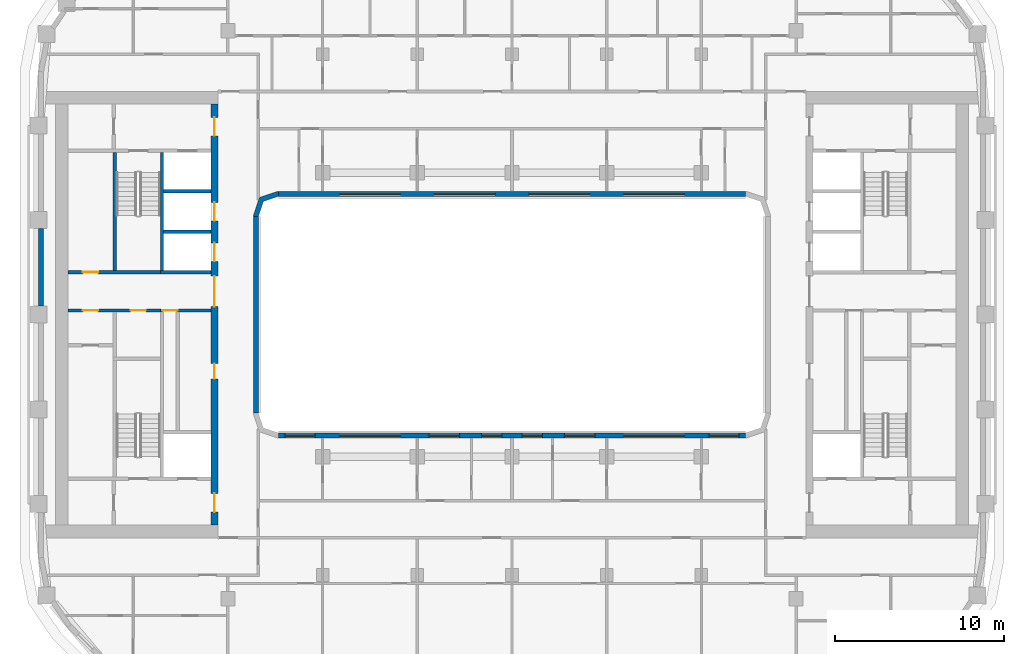
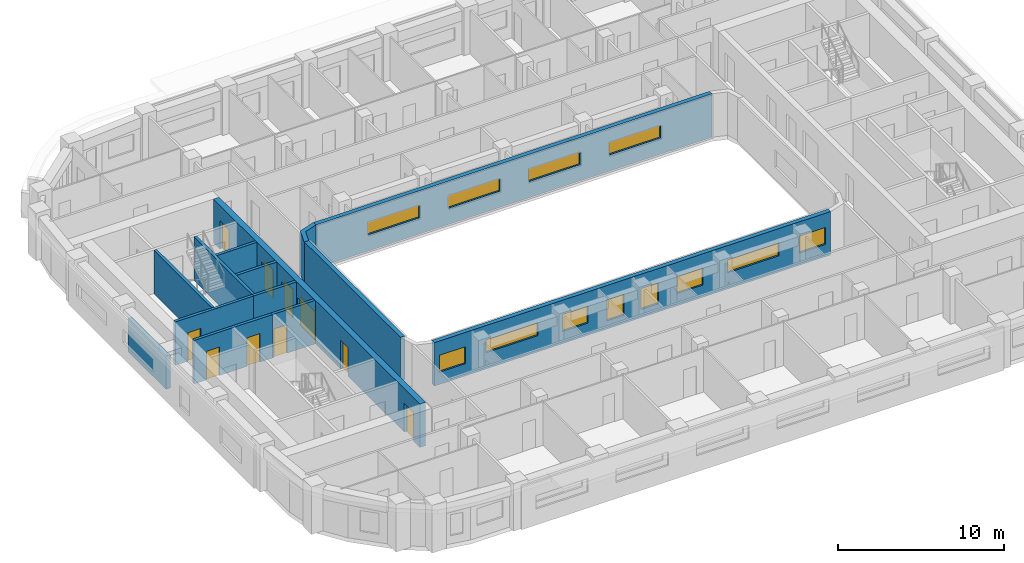
# One storey, part 4 of 22: 14 walls, 12 windows, 10 doors, 22 openings.
"""IFC4 building model written with IfcOpenShell, lengths in metres."""

from ifc_helpers import new_model, si_unit, direction, frame, frame_2d, origin, place, context, subcontext, project, spatial, polyline, rectangle, outline, extrude, material, layer, layer_set, type_object, element, fill, save


model = new_model("IFC4")

# Units and contexts
model_context = context("Model", 3, precision=1e-05, world=origin(), true_north=direction((0.0, 1.0)))
body_context = subcontext(model_context, "Body", "Model", "MODEL_VIEW")
ifc_project = project(units=[si_unit("LENGTHUNIT", "METRE"), si_unit("AREAUNIT", "SQUARE_METRE"), si_unit("VOLUMEUNIT", "CUBIC_METRE"), si_unit("PLANEANGLEUNIT", "RADIAN"), si_unit("MASSUNIT", "GRAM", prefix="KILO")], contexts=[model_context])

# Site, building, storey
site_placement = place(None, origin())
site = spatial("IfcSite", under=ifc_project, at=site_placement, CompositionType="ELEMENT")
building_placement = place(site_placement, origin())
building = spatial("IfcBuilding", under=site, at=building_placement, Name="Kiln Ring Residences", CompositionType="ELEMENT")
storey_placement = place(building_placement, frame((0.0, 0.0, 167.60009765625)))
storey = spatial("IfcBuildingStorey", under=building, at=storey_placement, Name="L43", CompositionType="ELEMENT", Elevation=167.60009765625)

# Wall, openings, doors
ifc_material_1 = material(Name="Gypsum board on steel studs", Category="steel")
ifc_layer_1 = layer(ifc_material_1, 0.199951171875)
ifc_layer_set_1 = layer_set([ifc_layer_1], Name="CORE-PARTITION-200")
wall_type_1 = type_object("IfcWallType", Name="CORE-PARTITION-200", PredefinedType="PARTITIONING", material=ifc_layer_set_1)
wall_1_placement = place(storey_placement, frame((-20.800048828125, 0.25, 0.0), z_axis=(0.0, 0.0, 1.0), x_axis=(-1.0, 0.0, 0.0)))
wall_1 = element("IfcWall", 1, at=wall_1_placement, inside=storey, type_object=wall_type_1, Name="Core partition west L43 2", PredefinedType="PARTITIONING", context=body_context, shape_type="SweptSolid", body=[
    extrude(rectangle(XDim=5.449951171875, YDim=0.199951171875, at=frame_2d((2.72509765625, 0.0))), origin(), (0.0, 0.0, 1.0), 3.199951171875),
])
opening_1_placement = place(wall_1_placement, frame((0.85009765625, 0.0, 0.0)))
opening_1 = element("IfcOpeningElement", 2, at=opening_1_placement, cuts=wall_1, Name="Opening L43-CW14", PredefinedType="OPENING", context=body_context, shape_type="SweptSolid", body=[
    extrude(rectangle(XDim=0.89990234375, YDim=2.10009765625, at=frame_2d((0.449951171875, 1.050048828125))), frame((0.0, 0.10986328125, 0.0), z_axis=(0.0, -1.0, 0.0), x_axis=(1.0, 0.0, 0.0)), (0.0, 0.0, 1.0), 0.219970703125),
])
opening_2_placement = place(wall_1_placement, frame((3.675048828125, 0.0, 0.0)))
opening_2 = element("IfcOpeningElement", 3, at=opening_2_placement, cuts=wall_1, Name="Opening L43-CW16", PredefinedType="OPENING", context=body_context, shape_type="SweptSolid", body=[
    extrude(rectangle(XDim=0.89990234375, YDim=2.10009765625, at=frame_2d((0.449951171875, 1.050048828125))), frame((0.0, 0.10986328125, 0.0), z_axis=(0.0, -1.0, 0.0), x_axis=(1.0, 0.0, 0.0)), (0.0, 0.0, 1.0), 0.219970703125),
])
ifc_material_2 = material(Name="Steel door leaf", Category="steel")
door_type_1 = type_object("IfcDoorType", Name="CORE-DOOR-ROOM", OperationType="SINGLE_SWING_LEFT", PredefinedType="DOOR", material=ifc_material_2)
door_1_placement = place(opening_1_placement, origin())
door_1 = element("IfcDoor", 4, at=door_1_placement, inside=storey, type_object=door_type_1, Name="Linen store L43-CW14", OperationType="SINGLE_SWING_RIGHT", OverallHeight=2.10009765625, OverallWidth=0.89990234375, PredefinedType="DOOR", context=body_context, shape_type="SweptSolid", body=[
    extrude(rectangle(XDim=0.89990234375, YDim=2.10009765625, at=frame_2d((0.449951171875, 1.050048828125))), frame((0.0, 0.02490234375, 0.0), z_axis=(0.0, -1.0, 0.0), x_axis=(1.0, 0.0, 0.0)), (0.0, 0.0, 1.0), 0.050048828125),
])
fill(opening_1, door_1)
door_2_placement = place(opening_2_placement, origin())
door_2 = element("IfcDoor", 5, at=door_2_placement, inside=storey, type_object=door_type_1, Name="Pump and valve room L43-CW16", OperationType="SINGLE_SWING_RIGHT", OverallHeight=2.10009765625, OverallWidth=0.89990234375, PredefinedType="DOOR", context=body_context, shape_type="SweptSolid", body=[
    extrude(rectangle(XDim=0.89990234375, YDim=2.10009765625, at=frame_2d((0.449951171875, 1.050048828125))), frame((0.0, 0.02490234375, 0.0), z_axis=(0.0, -1.0, 0.0), x_axis=(1.0, 0.0, 0.0)), (0.0, 0.0, 1.0), 0.050048828125),
])
fill(opening_2, door_2)

# Wall, opening, door
ifc_material_3 = material(Name="Gypsum shaft wall system")
ifc_layer_2 = layer(ifc_material_3, 0.199951171875)
ifc_layer_set_2 = layer_set([ifc_layer_2], Name="CORE-SHAFT-WALL-200")
wall_type_2 = type_object("IfcWallType", Name="CORE-SHAFT-WALL-200", PredefinedType="PARTITIONING", material=ifc_layer_set_2)
wall_2_placement = place(storey_placement, frame((-17.800048828125, 0.25, 0.0), z_axis=(0.0, 0.0, 1.0), x_axis=(-1.0, 0.0, 0.0)))
wall_2 = element("IfcWall", 6, at=wall_2_placement, inside=storey, type_object=wall_type_2, Name="Core partition west L43 8", PredefinedType="PARTITIONING", context=body_context, shape_type="SweptSolid", body=[
    extrude(rectangle(XDim=3.0, YDim=0.199951171875, at=frame_2d((1.5, 0.0))), origin(), (0.0, 0.0, 1.0), 3.199951171875),
])
opening_3_placement = place(wall_2_placement, frame((1.97998046875, 0.0, 0.0)))
opening_3 = element("IfcOpeningElement", 7, at=opening_3_placement, cuts=wall_2, Name="Opening L43-CW03", PredefinedType="OPENING", context=body_context, shape_type="SweptSolid", body=[
    extrude(rectangle(XDim=0.89990234375, YDim=2.10009765625, at=frame_2d((0.449951171875, 1.050048828125))), frame((0.0, 0.10986328125, 0.0), z_axis=(0.0, -1.0, 0.0), x_axis=(1.0, 0.0, 0.0)), (0.0, 0.0, 1.0), 0.219970703125),
])
door_3_placement = place(opening_3_placement, origin())
door_3 = element("IfcDoor", 8, at=door_3_placement, inside=storey, type_object=door_type_1, Name="Waste room L43-CW03", OperationType="SINGLE_SWING_LEFT", OverallHeight=2.10009765625, OverallWidth=0.89990234375, PredefinedType="DOOR", context=body_context, shape_type="SweptSolid", body=[
    extrude(rectangle(XDim=0.89990234375, YDim=2.10009765625, at=frame_2d((0.449951171875, 1.050048828125))), frame((0.0, 0.02490234375, 0.0), z_axis=(0.0, -1.0, 0.0), x_axis=(1.0, 0.0, 0.0)), (0.0, 0.0, 1.0), 0.050048828125),
])
fill(opening_3, door_3)

# Walls
wall_3_placement = place(storey_placement, frame((-17.800048828125, 2.5, 0.0), z_axis=(0.0, 0.0, 1.0), x_axis=(-1.0, 0.0, 0.0)))
element("IfcWall", 9, at=wall_3_placement, inside=storey, type_object=wall_type_2, Name="Core partition west L43 9", PredefinedType="PARTITIONING", context=body_context, shape_type="SweptSolid", body=[
    extrude(rectangle(XDim=3.0, YDim=0.199951171875, at=frame_2d((1.5, 0.0))), origin(), (0.0, 0.0, 1.0), 3.199951171875),
])
for number, where, z_axis, x_axis, name in (
    (10, (-17.800048828125, 4.89990234375, 0.0), (0.0, 0.0, 1.0), (-1.0, 0.0, 0.0), "Core partition west L43 10"),
    (11, (-17.800048828125, 7.300048828125, 0.0), (0.0, 0.0, 1.0), (-1.0, 0.0, 0.0), "Core partition west L43 11"),
):
    element("IfcWall", number, at=place(storey_placement, frame(where, z_axis=z_axis, x_axis=x_axis)), inside=storey, type_object=wall_type_2, Name=name, PredefinedType="PARTITIONING", context=body_context, shape_type="SweptSolid", body=[
        extrude(rectangle(XDim=2.800048828125, YDim=0.199951171875, at=frame_2d((1.39990234375, 0.0))), origin(), (0.0, 0.0, 1.0), 3.199951171875),
    ])
ifc_material_4 = material(Name="Concrete C40/50", Category="concrete")
ifc_layer_3 = layer(ifc_material_4, 0.199951171875)
ifc_layer_set_3 = layer_set([ifc_layer_3], Name="CORE-WALL-RC200")
wall_type_3 = type_object("IfcWallType", Name="CORE-WALL-RC200", PredefinedType="SHEAR", material=ifc_layer_set_3)
wall_4_placement = place(storey_placement, frame((-20.699951171875, 2.60009765625, 0.0), z_axis=(0.0, 0.0, 1.0), x_axis=(0.0, 1.0, 0.0)))
element("IfcWall", 12, at=wall_4_placement, inside=storey, type_object=wall_type_3, Name="Core wall west L43 1", PredefinedType="SHEAR", context=body_context, shape_type="SweptSolid", body=[
    extrude(rectangle(XDim=7.0, YDim=0.199951171875, at=frame_2d((3.5, 0.0))), origin(), (0.0, 0.0, 1.0), 3.199951171875),
])

# Wall, opening, door
wall_5_placement = place(storey_placement, frame((-20.800048828125, 2.5, 0.0), z_axis=(0.0, 0.0, 1.0), x_axis=(-1.0, 0.0, 0.0)))
wall_5 = element("IfcWall", 13, at=wall_5_placement, inside=storey, type_object=wall_type_3, Name="Core wall west L43 3", PredefinedType="SHEAR", context=body_context, shape_type="SweptSolid", body=[
    extrude(rectangle(XDim=5.449951171875, YDim=0.199951171875, at=frame_2d((2.72509765625, 0.0))), origin(), (0.0, 0.0, 1.0), 3.199951171875),
])
opening_4_placement = place(wall_5_placement, frame((3.675048828125, 0.0, 0.0)))
opening_4 = element("IfcOpeningElement", 14, at=opening_4_placement, cuts=wall_5, Name="Opening L43-CW17", PredefinedType="OPENING", context=body_context, shape_type="SweptSolid", body=[
    extrude(rectangle(XDim=0.89990234375, YDim=2.10009765625, at=frame_2d((0.449951171875, 1.050048828125))), frame((0.0, 0.10986328125, 0.0), z_axis=(0.0, -1.0, 0.0), x_axis=(1.0, 0.0, 0.0)), (0.0, 0.0, 1.0), 0.219970703125),
])
door_4_placement = place(opening_4_placement, origin())
door_4 = element("IfcDoor", 15, at=door_4_placement, inside=storey, type_object=door_type_1, Name="Electrical plant room L43-CW17", OperationType="SINGLE_SWING_RIGHT", OverallHeight=2.10009765625, OverallWidth=0.89990234375, PredefinedType="DOOR", context=body_context, shape_type="SweptSolid", body=[
    extrude(rectangle(XDim=0.89990234375, YDim=2.10009765625, at=frame_2d((0.449951171875, 1.050048828125))), frame((0.0, 0.02490234375, 0.0), z_axis=(0.0, -1.0, 0.0), x_axis=(1.0, 0.0, 0.0)), (0.0, 0.0, 1.0), 0.050048828125),
])
fill(opening_4, door_4)

# Wall
wall_6_placement = place(storey_placement, frame((-23.5, 2.60009765625, 0.0), z_axis=(0.0, 0.0, 1.0), x_axis=(0.0, 1.0, 0.0)))
element("IfcWall", 16, at=wall_6_placement, inside=storey, type_object=wall_type_3, Name="Core wall west L43 10", PredefinedType="SHEAR", context=body_context, shape_type="SweptSolid", body=[
    extrude(rectangle(XDim=7.0, YDim=0.199951171875, at=frame_2d((3.5, 0.0))), origin(), (0.0, 0.0, 1.0), 3.199951171875),
])

# Wall, openings, doors
ifc_material_5 = material(Name="Concrete C60/75", Category="concrete")
ifc_layer_4 = layer(ifc_material_5, 0.39990234375)
ifc_layer_set_4 = layer_set([ifc_layer_4], Name="CORE-WALL-RC400")
wall_type_4 = type_object("IfcWallType", Name="CORE-WALL-RC400", PredefinedType="SHEAR", material=ifc_layer_set_4)
wall_7_placement = place(storey_placement, frame((-17.60009765625, -12.449951171875, 0.0), z_axis=(0.0, 0.0, 1.0), x_axis=(0.0, 1.0, 0.0)))
wall_7 = element("IfcWall", 17, at=wall_7_placement, inside=storey, type_object=wall_type_4, Name="Core wall west L43 6", PredefinedType="SHEAR", context=body_context, shape_type="SweptSolid", body=[
    extrude(rectangle(XDim=24.89990234375, YDim=0.39990234375, at=frame_2d((12.449951171875, 0.0))), origin(), (0.0, 0.0, 1.0), 3.199951171875),
])
opening_5_placement = place(wall_7_placement, frame((8.64990234375, 0.0, 0.0)))
opening_5 = element("IfcOpeningElement", 18, at=opening_5_placement, cuts=wall_7, Name="Opening L43-CW02", PredefinedType="OPENING", context=body_context, shape_type="SweptSolid", body=[
    extrude(rectangle(XDim=0.89990234375, YDim=2.10009765625, at=frame_2d((0.449951171875, 1.050048828125))), frame((0.0, 0.2099609375, 0.0), z_axis=(0.0, -1.0, 0.0), x_axis=(1.0, 0.0, 0.0)), (0.0, 0.0, 1.0), 0.419921875),
])
opening_6_placement = place(wall_7_placement, frame((15.60009765625, 0.0, 0.0)))
opening_6 = element("IfcOpeningElement", 19, at=opening_6_placement, cuts=wall_7, Name="Opening L43-CW04", PredefinedType="OPENING", context=body_context, shape_type="SweptSolid", body=[
    extrude(rectangle(XDim=1.10009765625, YDim=2.10009765625, at=frame_2d((0.550048828125, 1.050048828125))), frame((0.0, 0.2099609375, 0.0), z_axis=(0.0, -1.0, 0.0), x_axis=(1.0, 0.0, 0.0)), (0.0, 0.0, 1.0), 0.419921875),
])
opening_7_placement = place(wall_7_placement, frame((18.0, 0.0, 0.0)))
opening_7 = element("IfcOpeningElement", 20, at=opening_7_placement, cuts=wall_7, Name="Opening L43-CW05", PredefinedType="OPENING", context=body_context, shape_type="SweptSolid", body=[
    extrude(rectangle(XDim=1.10009765625, YDim=2.10009765625, at=frame_2d((0.550048828125, 1.050048828125))), frame((0.0, 0.2099609375, 0.0), z_axis=(0.0, -1.0, 0.0), x_axis=(1.0, 0.0, 0.0)), (0.0, 0.0, 1.0), 0.419921875),
])
opening_8_placement = place(wall_7_placement, frame((23.02490234375, 0.0, 0.0)))
opening_8 = element("IfcOpeningElement", 21, at=opening_8_placement, cuts=wall_7, Name="Opening L43-CW07", PredefinedType="OPENING", context=body_context, shape_type="SweptSolid", body=[
    extrude(rectangle(XDim=1.10009765625, YDim=2.10009765625, at=frame_2d((0.550048828125, 1.050048828125))), frame((0.0, 0.2099609375, 0.0), z_axis=(0.0, -1.0, 0.0), x_axis=(1.0, 0.0, 0.0)), (0.0, 0.0, 1.0), 0.419921875),
])
opening_9_placement = place(wall_7_placement, frame((0.77490234375, 0.0, 0.0)))
opening_9 = element("IfcOpeningElement", 22, at=opening_9_placement, cuts=wall_7, Name="Opening L43-CW08", PredefinedType="OPENING", context=body_context, shape_type="SweptSolid", body=[
    extrude(rectangle(XDim=1.10009765625, YDim=2.10009765625, at=frame_2d((0.550048828125, 1.050048828125))), frame((0.0, 0.2099609375, 0.0), z_axis=(0.0, -1.0, 0.0), x_axis=(1.0, 0.0, 0.0)), (0.0, 0.0, 1.0), 0.419921875),
])
opening_10_placement = place(wall_7_placement, frame((12.925048828125, 0.0, 0.0)))
opening_10 = element("IfcOpeningElement", 23, at=opening_10_placement, cuts=wall_7, Name="Opening L43-CW13", PredefinedType="OPENING", context=body_context, shape_type="SweptSolid", body=[
    extrude(rectangle(XDim=1.800048828125, YDim=2.10009765625, at=frame_2d((0.89990234375, 1.050048828125))), frame((0.0, 0.2099609375, 0.0), z_axis=(0.0, -1.0, 0.0), x_axis=(1.0, 0.0, 0.0)), (0.0, 0.0, 1.0), 0.419921875),
])
ifc_material_6 = material(Name="Steel door leaf", Category="steel")
door_type_2 = type_object("IfcDoorType", Name="CORE-DOOR-LD", OperationType="DOUBLE_DOOR_SLIDING", PredefinedType="DOOR", material=ifc_material_6)
door_5_placement = place(opening_6_placement, origin())
door_5 = element("IfcDoor", 24, at=door_5_placement, inside=storey, type_object=door_type_2, Name="LD W-M1 L43-CW04", OperationType="DOUBLE_DOOR_SLIDING", OverallHeight=2.10009765625, OverallWidth=1.10009765625, PredefinedType="DOOR", context=body_context, shape_type="SweptSolid", body=[
    extrude(rectangle(XDim=1.10009765625, YDim=2.10009765625, at=frame_2d((0.550048828125, 1.050048828125))), frame((0.0, 0.02490234375, 0.0), z_axis=(0.0, -1.0, 0.0), x_axis=(1.0, 0.0, 0.0)), (0.0, 0.0, 1.0), 0.050048828125),
])
fill(opening_6, door_5)
door_6_placement = place(opening_7_placement, origin())
door_6 = element("IfcDoor", 25, at=door_6_placement, inside=storey, type_object=door_type_2, Name="LD W-M2 L43-CW05", OperationType="DOUBLE_DOOR_SLIDING", OverallHeight=2.10009765625, OverallWidth=1.10009765625, PredefinedType="DOOR", context=body_context, shape_type="SweptSolid", body=[
    extrude(rectangle(XDim=1.10009765625, YDim=2.10009765625, at=frame_2d((0.550048828125, 1.050048828125))), frame((0.0, 0.02490234375, 0.0), z_axis=(0.0, -1.0, 0.0), x_axis=(1.0, 0.0, 0.0)), (0.0, 0.0, 1.0), 0.050048828125),
])
fill(opening_7, door_6)
ifc_material_7 = material(Name="Steel door leaf", Category="steel")
door_type_3 = type_object("IfcDoorType", Name="CORE-DOOR-LOBBY", OperationType="SINGLE_SWING_LEFT", PredefinedType="DOOR", material=ifc_material_7)
door_7_placement = place(opening_8_placement, origin())
door_7 = element("IfcDoor", 26, at=door_7_placement, inside=storey, type_object=door_type_3, Name="FFL L43-CW07", OperationType="SINGLE_SWING_RIGHT", OverallHeight=2.10009765625, OverallWidth=1.10009765625, PredefinedType="DOOR", context=body_context, shape_type="SweptSolid", body=[
    extrude(rectangle(XDim=1.10009765625, YDim=2.10009765625, at=frame_2d((0.550048828125, 1.050048828125))), frame((0.0, 0.02490234375, 0.0), z_axis=(0.0, -1.0, 0.0), x_axis=(1.0, 0.0, 0.0)), (0.0, 0.0, 1.0), 0.050048828125),
])
fill(opening_8, door_7)
door_8_placement = place(opening_9_placement, origin())
door_8 = element("IfcDoor", 27, at=door_8_placement, inside=storey, type_object=door_type_3, Name="SVL L43-CW08", OperationType="SINGLE_SWING_LEFT", OverallHeight=2.10009765625, OverallWidth=1.10009765625, PredefinedType="DOOR", context=body_context, shape_type="SweptSolid", body=[
    extrude(rectangle(XDim=1.10009765625, YDim=2.10009765625, at=frame_2d((0.550048828125, 1.050048828125))), frame((0.0, 0.02490234375, 0.0), z_axis=(0.0, -1.0, 0.0), x_axis=(1.0, 0.0, 0.0)), (0.0, 0.0, 1.0), 0.050048828125),
])
fill(opening_9, door_8)
ifc_material_8 = material(Name="Steel door leaf", Category="steel")
door_type_4 = type_object("IfcDoorType", Name="CORE-DOOR-PASS", OperationType="DOUBLE_DOOR_SINGLE_SWING", PredefinedType="DOOR", material=ifc_material_8)
door_9_placement = place(opening_10_placement, origin())
door_9 = element("IfcDoor", 28, at=door_9_placement, inside=storey, type_object=door_type_4, Name="Core passage L43-CW13", OperationType="DOUBLE_DOOR_SINGLE_SWING", OverallHeight=2.10009765625, OverallWidth=1.800048828125, PredefinedType="DOOR", context=body_context, shape_type="SweptSolid", body=[
    extrude(rectangle(XDim=1.800048828125, YDim=2.10009765625, at=frame_2d((0.89990234375, 1.050048828125))), frame((0.0, 0.02490234375, 0.0), z_axis=(0.0, -1.0, 0.0), x_axis=(1.0, 0.0, 0.0)), (0.0, 0.0, 1.0), 0.050048828125),
])
fill(opening_10, door_9)
door_10_placement = place(opening_5_placement, origin())
door_10 = element("IfcDoor", 29, at=door_10_placement, inside=storey, type_object=door_type_1, Name="Janitor's store L43-CW02", OperationType="SINGLE_SWING_RIGHT", OverallHeight=2.10009765625, OverallWidth=0.89990234375, PredefinedType="DOOR", context=body_context, shape_type="SweptSolid", body=[
    extrude(rectangle(XDim=0.89990234375, YDim=2.10009765625, at=frame_2d((0.449951171875, 1.050048828125))), frame((0.0, 0.02490234375, 0.0), z_axis=(0.0, -1.0, 0.0), x_axis=(1.0, 0.0, 0.0)), (0.0, 0.0, 1.0), 0.050048828125),
])
fill(opening_5, door_10)

# Walls
ifc_material_9 = material(Name="Brick masonry, dark clay brick", Category="masonry")
ifc_layer_5 = layer(ifc_material_9, 0.300048828125)
ifc_layer_set_5 = layer_set([ifc_layer_5], Name="EW-300 BRICK WALL")
wall_type_5 = type_object("IfcWallType", Name="EW-300 BRICK WALL", PredefinedType="SOLIDWALL", material=ifc_layer_set_5)
wall_8_placement = place(storey_placement, frame((-27.85009765625, 5.10009765625, 0.0), z_axis=(0.0, 0.0, 1.0), x_axis=(0.0, -1.0, 0.0)))
element("IfcWall", 30, at=wall_8_placement, inside=storey, type_object=wall_type_5, Name="Facade wall L43 43", PredefinedType="SOLIDWALL", context=body_context, shape_type="SweptSolid", body=[
    extrude(rectangle(XDim=4.60009765625, YDim=0.300048828125, at=frame_2d((2.300048828125, 0.0))), origin(), (0.0, 0.0, 1.0), 2.449951171875),
])
wall_9_placement = place(storey_placement, frame((-15.14990234375, -5.800048828125, 0.0), z_axis=(0.0, 0.0, 1.0), x_axis=(0.0, 1.0, 0.0)))
element("IfcWall", 31, at=wall_9_placement, inside=storey, type_object=wall_type_5, Name="Facade wall L43 49", PredefinedType="SOLIDWALL", context=body_context, shape_type="SweptSolid", body=[
    extrude(rectangle(XDim=11.60009765625, YDim=0.300048828125, at=frame_2d((5.800048828125, 0.0))), origin(), (0.0, 0.0, 1.0), 3.199951171875),
])

# Wall, openings, windows
wall_10_placement = place(storey_placement, frame((-13.800048828125, 7.14990234375, 0.0), z_axis=(0.0, 0.0, 1.0), x_axis=(1.0, 0.0, 0.0)))
wall_10 = element("IfcWall", 32, at=wall_10_placement, inside=storey, type_object=wall_type_5, Name="Facade wall L43 50", PredefinedType="SOLIDWALL", context=body_context, shape_type="SweptSolid", body=[
    extrude(rectangle(XDim=27.60009765625, YDim=0.300048828125, at=frame_2d((13.800048828125, 0.0))), origin(), (0.0, 0.0, 1.0), 3.199951171875),
])
opening_11_placement = place(wall_10_placement, frame((3.60009765625, 0.0, 1.199951171875)))
opening_11 = element("IfcOpeningElement", 33, at=opening_11_placement, cuts=wall_10, Name="Opening W4", PredefinedType="OPENING", context=body_context, shape_type="SweptSolid", body=[
    extrude(rectangle(XDim=3.60009765625, YDim=0.949951171875, at=frame_2d((1.800048828125, 0.47509765625))), frame((0.0, 0.159912109375, 0.0), z_axis=(0.0, -1.0, 0.0), x_axis=(1.0, 0.0, 0.0)), (0.0, 0.0, 1.0), 0.320068359375),
])
opening_12_placement = place(wall_10_placement, frame((9.199951171875, 0.0, 1.199951171875)))
opening_12 = element("IfcOpeningElement", 34, at=opening_12_placement, cuts=wall_10, Name="Opening W4", PredefinedType="OPENING", context=body_context, shape_type="SweptSolid", body=[
    extrude(rectangle(XDim=3.60009765625, YDim=0.949951171875, at=frame_2d((1.800048828125, 0.47509765625))), frame((0.0, 0.159912109375, 0.0), z_axis=(0.0, -1.0, 0.0), x_axis=(1.0, 0.0, 0.0)), (0.0, 0.0, 1.0), 0.320068359375),
])
opening_13_placement = place(wall_10_placement, frame((14.800048828125, 0.0, 1.199951171875)))
opening_13 = element("IfcOpeningElement", 35, at=opening_13_placement, cuts=wall_10, Name="Opening W4", PredefinedType="OPENING", context=body_context, shape_type="SweptSolid", body=[
    extrude(rectangle(XDim=3.60009765625, YDim=0.949951171875, at=frame_2d((1.800048828125, 0.47509765625))), frame((0.0, 0.159912109375, 0.0), z_axis=(0.0, -1.0, 0.0), x_axis=(1.0, 0.0, 0.0)), (0.0, 0.0, 1.0), 0.320068359375),
])
opening_14_placement = place(wall_10_placement, frame((20.39990234375, 0.0, 1.199951171875)))
opening_14 = element("IfcOpeningElement", 36, at=opening_14_placement, cuts=wall_10, Name="Opening W4", PredefinedType="OPENING", context=body_context, shape_type="SweptSolid", body=[
    extrude(rectangle(XDim=3.60009765625, YDim=0.949951171875, at=frame_2d((1.800048828125, 0.47509765625))), frame((0.0, 0.159912109375, 0.0), z_axis=(0.0, -1.0, 0.0), x_axis=(1.0, 0.0, 0.0)), (0.0, 0.0, 1.0), 0.320068359375),
])
ifc_material_10 = material(Name="Aluminium frame with double glazing", Category="aluminium")
window_type_1 = type_object("IfcWindowType", Name="WINDOW 3600 x 950", PartitioningType="SINGLE_PANEL", PredefinedType="WINDOW", material=ifc_material_10)
window_1_placement = place(opening_11_placement, origin())
window_1 = element("IfcWindow", 37, at=window_1_placement, inside=storey, type_object=window_type_1, Name="Window L43 30", OverallHeight=0.949951171875, OverallWidth=3.60009765625, PartitioningType="SINGLE_PANEL", PredefinedType="WINDOW", context=body_context, shape_type="SweptSolid", body=[
    extrude(rectangle(XDim=3.60009765625, YDim=0.949951171875, at=frame_2d((1.800048828125, 0.47509765625))), frame((0.0, 0.030029296875, 0.0), z_axis=(0.0, -1.0, 0.0), x_axis=(1.0, 0.0, 0.0)), (0.0, 0.0, 1.0), 0.06005859375),
])
fill(opening_11, window_1)
window_2_placement = place(opening_12_placement, origin())
window_2 = element("IfcWindow", 38, at=window_2_placement, inside=storey, type_object=window_type_1, Name="Window L43 31", OverallHeight=0.949951171875, OverallWidth=3.60009765625, PartitioningType="SINGLE_PANEL", PredefinedType="WINDOW", context=body_context, shape_type="SweptSolid", body=[
    extrude(rectangle(XDim=3.60009765625, YDim=0.949951171875, at=frame_2d((1.800048828125, 0.47509765625))), frame((0.0, 0.030029296875, 0.0), z_axis=(0.0, -1.0, 0.0), x_axis=(1.0, 0.0, 0.0)), (0.0, 0.0, 1.0), 0.06005859375),
])
fill(opening_12, window_2)
window_3_placement = place(opening_13_placement, origin())
window_3 = element("IfcWindow", 39, at=window_3_placement, inside=storey, type_object=window_type_1, Name="Window L43 32", OverallHeight=0.949951171875, OverallWidth=3.60009765625, PartitioningType="SINGLE_PANEL", PredefinedType="WINDOW", context=body_context, shape_type="SweptSolid", body=[
    extrude(rectangle(XDim=3.60009765625, YDim=0.949951171875, at=frame_2d((1.800048828125, 0.47509765625))), frame((0.0, 0.030029296875, 0.0), z_axis=(0.0, -1.0, 0.0), x_axis=(1.0, 0.0, 0.0)), (0.0, 0.0, 1.0), 0.06005859375),
])
fill(opening_13, window_3)
window_4_placement = place(opening_14_placement, origin())
window_4 = element("IfcWindow", 40, at=window_4_placement, inside=storey, type_object=window_type_1, Name="Window L43 33", OverallHeight=0.949951171875, OverallWidth=3.60009765625, PartitioningType="SINGLE_PANEL", PredefinedType="WINDOW", context=body_context, shape_type="SweptSolid", body=[
    extrude(rectangle(XDim=3.60009765625, YDim=0.949951171875, at=frame_2d((1.800048828125, 0.47509765625))), frame((0.0, 0.030029296875, 0.0), z_axis=(0.0, -1.0, 0.0), x_axis=(1.0, 0.0, 0.0)), (0.0, 0.0, 1.0), 0.06005859375),
])
fill(opening_14, window_4)

wall_11_placement = place(storey_placement, frame((13.800048828125, -7.14990234375, 0.0), z_axis=(0.0, 0.0, 1.0), x_axis=(-1.0, 0.0, 0.0)))
wall_11 = element("IfcWall", 41, at=wall_11_placement, inside=storey, type_object=wall_type_5, Name="Facade wall L43 52", PredefinedType="SOLIDWALL", context=body_context, shape_type="SweptSolid", body=[
    extrude(rectangle(XDim=27.60009765625, YDim=0.300048828125, at=frame_2d((13.800048828125, 0.0))), origin(), (0.0, 0.0, 1.0), 3.199951171875),
])
opening_15_placement = place(wall_11_placement, frame((0.362548828125, 0.0, 0.89990234375)))
opening_15 = element("IfcOpeningElement", 42, at=opening_15_placement, cuts=wall_11, Name="Opening W2", PredefinedType="OPENING", context=body_context, shape_type="SweptSolid", body=[
    extrude(rectangle(XDim=1.800048828125, YDim=1.25, at=frame_2d((0.89990234375, 0.625))), frame((0.0, 0.159912109375, 0.0), z_axis=(0.0, -1.0, 0.0), x_axis=(1.0, 0.0, 0.0)), (0.0, 0.0, 1.0), 0.320068359375),
])
opening_16_placement = place(wall_11_placement, frame((3.60009765625, 0.0, 1.199951171875)))
opening_16 = element("IfcOpeningElement", 43, at=opening_16_placement, cuts=wall_11, Name="Opening W4", PredefinedType="OPENING", context=body_context, shape_type="SweptSolid", body=[
    extrude(rectangle(XDim=3.60009765625, YDim=0.949951171875, at=frame_2d((1.800048828125, 0.47509765625))), frame((0.0, 0.159912109375, 0.0), z_axis=(0.0, -1.0, 0.0), x_axis=(1.0, 0.0, 0.0)), (0.0, 0.0, 1.0), 0.320068359375),
])
opening_17_placement = place(wall_11_placement, frame((8.89990234375, 0.0, 0.89990234375)))
opening_17 = element("IfcOpeningElement", 44, at=opening_17_placement, cuts=wall_11, Name="Opening W2", PredefinedType="OPENING", context=body_context, shape_type="SweptSolid", body=[
    extrude(rectangle(XDim=1.800048828125, YDim=1.25, at=frame_2d((0.89990234375, 0.625))), frame((0.0, 0.159912109375, 0.0), z_axis=(0.0, -1.0, 0.0), x_axis=(1.0, 0.0, 0.0)), (0.0, 0.0, 1.0), 0.320068359375),
])
opening_18_placement = place(wall_11_placement, frame((12.0, 0.0, 0.60009765625)))
opening_18 = element("IfcOpeningElement", 45, at=opening_18_placement, cuts=wall_11, Name="Opening W1", PredefinedType="OPENING", context=body_context, shape_type="SweptSolid", body=[
    extrude(rectangle(XDim=1.199951171875, YDim=1.550048828125, at=frame_2d((0.60009765625, 0.77490234375))), frame((0.0, 0.159912109375, 0.0), z_axis=(0.0, -1.0, 0.0), x_axis=(1.0, 0.0, 0.0)), (0.0, 0.0, 1.0), 0.320068359375),
])
opening_19_placement = place(wall_11_placement, frame((14.39990234375, 0.0, 0.60009765625)))
opening_19 = element("IfcOpeningElement", 46, at=opening_19_placement, cuts=wall_11, Name="Opening W1", PredefinedType="OPENING", context=body_context, shape_type="SweptSolid", body=[
    extrude(rectangle(XDim=1.199951171875, YDim=1.550048828125, at=frame_2d((0.60009765625, 0.77490234375))), frame((0.0, 0.159912109375, 0.0), z_axis=(0.0, -1.0, 0.0), x_axis=(1.0, 0.0, 0.0)), (0.0, 0.0, 1.0), 0.320068359375),
])
opening_20_placement = place(wall_11_placement, frame((16.89990234375, 0.0, 0.89990234375)))
opening_20 = element("IfcOpeningElement", 47, at=opening_20_placement, cuts=wall_11, Name="Opening W2", PredefinedType="OPENING", context=body_context, shape_type="SweptSolid", body=[
    extrude(rectangle(XDim=1.800048828125, YDim=1.25, at=frame_2d((0.89990234375, 0.625))), frame((0.0, 0.159912109375, 0.0), z_axis=(0.0, -1.0, 0.0), x_axis=(1.0, 0.0, 0.0)), (0.0, 0.0, 1.0), 0.320068359375),
])
opening_21_placement = place(wall_11_placement, frame((20.39990234375, 0.0, 1.199951171875)))
opening_21 = element("IfcOpeningElement", 48, at=opening_21_placement, cuts=wall_11, Name="Opening W4", PredefinedType="OPENING", context=body_context, shape_type="SweptSolid", body=[
    extrude(rectangle(XDim=3.60009765625, YDim=0.949951171875, at=frame_2d((1.800048828125, 0.47509765625))), frame((0.0, 0.159912109375, 0.0), z_axis=(0.0, -1.0, 0.0), x_axis=(1.0, 0.0, 0.0)), (0.0, 0.0, 1.0), 0.320068359375),
])
opening_22_placement = place(wall_11_placement, frame((25.4375, 0.0, 0.89990234375)))
opening_22 = element("IfcOpeningElement", 49, at=opening_22_placement, cuts=wall_11, Name="Opening W2", PredefinedType="OPENING", context=body_context, shape_type="SweptSolid", body=[
    extrude(rectangle(XDim=1.800048828125, YDim=1.25, at=frame_2d((0.89990234375, 0.625))), frame((0.0, 0.159912109375, 0.0), z_axis=(0.0, -1.0, 0.0), x_axis=(1.0, 0.0, 0.0)), (0.0, 0.0, 1.0), 0.320068359375),
])
ifc_material_11 = material(Name="Aluminium frame with double glazing", Category="aluminium")
window_type_2 = type_object("IfcWindowType", Name="WINDOW 1200 x 1550", PartitioningType="SINGLE_PANEL", PredefinedType="WINDOW", material=ifc_material_11)
window_5_placement = place(opening_18_placement, origin())
window_5 = element("IfcWindow", 50, at=window_5_placement, inside=storey, type_object=window_type_2, Name="Window L43 37", OverallHeight=1.550048828125, OverallWidth=1.199951171875, PartitioningType="SINGLE_PANEL", PredefinedType="WINDOW", context=body_context, shape_type="SweptSolid", body=[
    extrude(rectangle(XDim=1.199951171875, YDim=1.550048828125, at=frame_2d((0.60009765625, 0.77490234375))), frame((0.0, 0.030029296875, 0.0), z_axis=(0.0, -1.0, 0.0), x_axis=(1.0, 0.0, 0.0)), (0.0, 0.0, 1.0), 0.06005859375),
])
fill(opening_18, window_5)
window_6_placement = place(opening_19_placement, origin())
window_6 = element("IfcWindow", 51, at=window_6_placement, inside=storey, type_object=window_type_2, Name="Window L43 38", OverallHeight=1.550048828125, OverallWidth=1.199951171875, PartitioningType="SINGLE_PANEL", PredefinedType="WINDOW", context=body_context, shape_type="SweptSolid", body=[
    extrude(rectangle(XDim=1.199951171875, YDim=1.550048828125, at=frame_2d((0.60009765625, 0.77490234375))), frame((0.0, 0.030029296875, 0.0), z_axis=(0.0, -1.0, 0.0), x_axis=(1.0, 0.0, 0.0)), (0.0, 0.0, 1.0), 0.06005859375),
])
fill(opening_19, window_6)
ifc_material_12 = material(Name="Aluminium frame with double glazing", Category="aluminium")
window_type_3 = type_object("IfcWindowType", Name="WINDOW 1800 x 1250", PartitioningType="SINGLE_PANEL", PredefinedType="WINDOW", material=ifc_material_12)
window_7_placement = place(opening_15_placement, origin())
window_7 = element("IfcWindow", 52, at=window_7_placement, inside=storey, type_object=window_type_3, Name="Window L43 34", OverallHeight=1.25, OverallWidth=1.800048828125, PartitioningType="SINGLE_PANEL", PredefinedType="WINDOW", context=body_context, shape_type="SweptSolid", body=[
    extrude(rectangle(XDim=1.800048828125, YDim=1.25, at=frame_2d((0.89990234375, 0.625))), frame((0.0, 0.030029296875, 0.0), z_axis=(0.0, -1.0, 0.0), x_axis=(1.0, 0.0, 0.0)), (0.0, 0.0, 1.0), 0.06005859375),
])
fill(opening_15, window_7)
window_8_placement = place(opening_17_placement, origin())
window_8 = element("IfcWindow", 53, at=window_8_placement, inside=storey, type_object=window_type_3, Name="Window L43 36", OverallHeight=1.25, OverallWidth=1.800048828125, PartitioningType="SINGLE_PANEL", PredefinedType="WINDOW", context=body_context, shape_type="SweptSolid", body=[
    extrude(rectangle(XDim=1.800048828125, YDim=1.25, at=frame_2d((0.89990234375, 0.625))), frame((0.0, 0.030029296875, 0.0), z_axis=(0.0, -1.0, 0.0), x_axis=(1.0, 0.0, 0.0)), (0.0, 0.0, 1.0), 0.06005859375),
])
fill(opening_17, window_8)
window_9_placement = place(opening_20_placement, origin())
window_9 = element("IfcWindow", 54, at=window_9_placement, inside=storey, type_object=window_type_3, Name="Window L43 39", OverallHeight=1.25, OverallWidth=1.800048828125, PartitioningType="SINGLE_PANEL", PredefinedType="WINDOW", context=body_context, shape_type="SweptSolid", body=[
    extrude(rectangle(XDim=1.800048828125, YDim=1.25, at=frame_2d((0.89990234375, 0.625))), frame((0.0, 0.030029296875, 0.0), z_axis=(0.0, -1.0, 0.0), x_axis=(1.0, 0.0, 0.0)), (0.0, 0.0, 1.0), 0.06005859375),
])
fill(opening_20, window_9)
window_10_placement = place(opening_22_placement, origin())
window_10 = element("IfcWindow", 55, at=window_10_placement, inside=storey, type_object=window_type_3, Name="Window L43 41", OverallHeight=1.25, OverallWidth=1.800048828125, PartitioningType="SINGLE_PANEL", PredefinedType="WINDOW", context=body_context, shape_type="SweptSolid", body=[
    extrude(rectangle(XDim=1.800048828125, YDim=1.25, at=frame_2d((0.89990234375, 0.625))), frame((0.0, 0.030029296875, 0.0), z_axis=(0.0, -1.0, 0.0), x_axis=(1.0, 0.0, 0.0)), (0.0, 0.0, 1.0), 0.06005859375),
])
fill(opening_22, window_10)
window_11_placement = place(opening_16_placement, origin())
window_11 = element("IfcWindow", 56, at=window_11_placement, inside=storey, type_object=window_type_1, Name="Window L43 35", OverallHeight=0.949951171875, OverallWidth=3.60009765625, PartitioningType="SINGLE_PANEL", PredefinedType="WINDOW", context=body_context, shape_type="SweptSolid", body=[
    extrude(rectangle(XDim=3.60009765625, YDim=0.949951171875, at=frame_2d((1.800048828125, 0.47509765625))), frame((0.0, 0.030029296875, 0.0), z_axis=(0.0, -1.0, 0.0), x_axis=(1.0, 0.0, 0.0)), (0.0, 0.0, 1.0), 0.06005859375),
])
fill(opening_16, window_11)
window_12_placement = place(opening_21_placement, origin())
window_12 = element("IfcWindow", 57, at=window_12_placement, inside=storey, type_object=window_type_1, Name="Window L43 40", OverallHeight=0.949951171875, OverallWidth=3.60009765625, PartitioningType="SINGLE_PANEL", PredefinedType="WINDOW", context=body_context, shape_type="SweptSolid", body=[
    extrude(rectangle(XDim=3.60009765625, YDim=0.949951171875, at=frame_2d((1.800048828125, 0.47509765625))), frame((0.0, 0.030029296875, 0.0), z_axis=(0.0, -1.0, 0.0), x_axis=(1.0, 0.0, 0.0)), (0.0, 0.0, 1.0), 0.06005859375),
])
fill(opening_21, window_12)

# Wall
wall_12_placement = place(storey_placement, origin())
element("IfcWall", 58, at=wall_12_placement, inside=storey, type_object=wall_type_5, Name="Corner wall L43 1", PredefinedType="SOLIDWALL", context=body_context, shape_type="SweptSolid", body=[
    extrude(outline(polyline([(-13.8486328125, 7.300048828125), (-14.937255859375, 6.937255859375), (-15.300048828125, 5.8486328125), (-15.300048828125, 5.800048828125), (-15.0, 5.800048828125), (-14.699951171875, 6.699951171875), (-13.800048828125, 7.0), (-13.800048828125, 7.300048828125), (-13.8486328125, 7.300048828125)])), origin(), (0.0, 0.0, 1.0), 3.199951171875),
])

save(model, "model.ifc")
